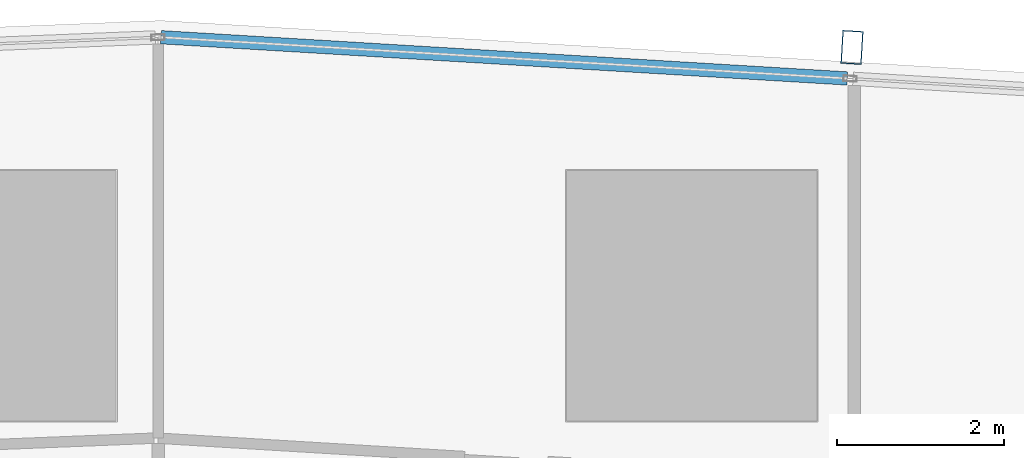
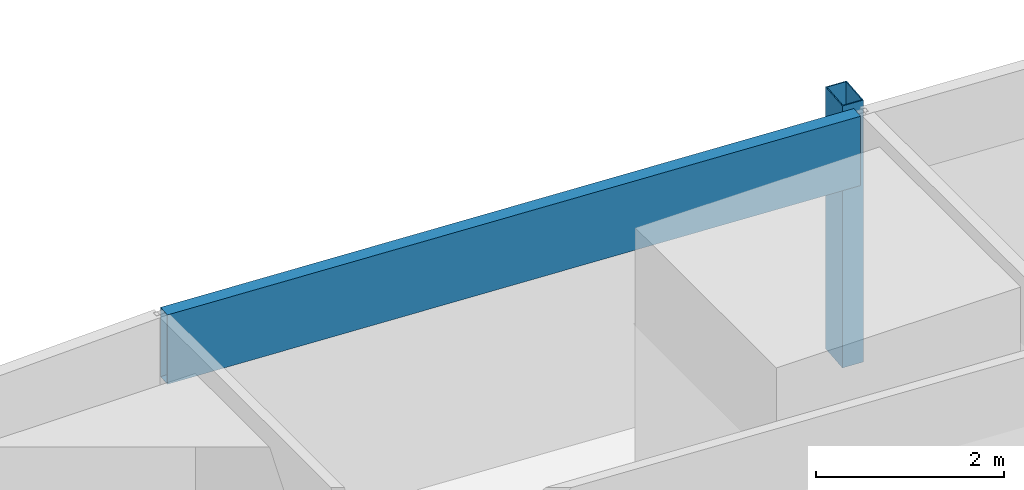
# One storey, part 22 of 38: 2 members, 1 element without a shape of its own.
"""IFC4 building model written with IfcOpenShell, lengths in metres."""

from ifc_helpers import new_model, si_unit, direction, frame, origin, origin_2d, place, context, subcontext, project, spatial, hollow_rectangle, extrude, material, material_profile, profile_set, type_object, element, aggregate, save


model = new_model("IFC4")

# Units and contexts
model_context = context("Model", 3, precision=1e-05, world=origin(), true_north=direction((0.0, 1.0)))
body_context = subcontext(model_context, "Body", "Model", "MODEL_VIEW")
ifc_project = project(units=[si_unit("LENGTHUNIT", "METRE"), si_unit("AREAUNIT", "SQUARE_METRE"), si_unit("VOLUMEUNIT", "CUBIC_METRE"), si_unit("PLANEANGLEUNIT", "RADIAN"), si_unit("MASSUNIT", "GRAM", prefix="KILO")], contexts=[model_context])

# Site, building, storey
site_placement = place(None, origin())
site = spatial("IfcSite", under=ifc_project, at=site_placement, CompositionType="ELEMENT")
building_placement = place(site_placement, origin())
building = spatial("IfcBuilding", under=site, at=building_placement, Name="Rekha Terrace Tower", CompositionType="ELEMENT")
storey_placement = place(building_placement, frame((0.0, 0.0, 159.050048828125)))
storey = spatial("IfcBuildingStorey", under=building, at=storey_placement, Name="L40", CompositionType="ELEMENT", Elevation=159.050048828125)

# Curtain wall, members
ifc_material_1 = material(Name="Aluminium framing", Category="aluminium")
curtain_wall_type = type_object("IfcCurtainWallType", Name="CW3 north unitised glazing", PredefinedType="USERDEFINED", material=ifc_material_1)
curtain_wall_placement = place(storey_placement, origin())
curtain_wall = element("IfcCurtainWall", 1, at=curtain_wall_placement, inside=storey, type_object=curtain_wall_type, Name="CW3 unitised curtain wall", ObjectType="UNITISED CURTAIN WALL", PredefinedType="USERDEFINED")
ifc_material_2 = material(Name="Steel S355 with fluorocarbon finish", Category="steel")
ifc_material_profile_1 = material_profile(ifc_material_2, hollow_rectangle(XDim=0.25, YDim=0.39990234375, WallThickness=0.012451171875, at=origin_2d()), Name="RHS400x250x12.5")
ifc_profile_set_1 = profile_set([ifc_material_profile_1], Name="Steel S355 with fluorocarbon finish")
member_type_1 = type_object("IfcMemberType", Name="BL1 facade blade RHS 400 x 250", PredefinedType="USERDEFINED", material=ifc_profile_set_1)
member_1_placement = place(storey_placement, frame((52.322265625, 61.777587890625, 0.0), z_axis=(0.0, 0.0, 1.0), x_axis=(-0.998199123409, 0.059987582268, 0.0)))
member_1 = element("IfcMember", 2, at=member_1_placement, type_object=member_type_1, Name="Facade blade", ObjectType="FACADE BLADE", PredefinedType="USERDEFINED", context=body_context, shape_type="SweptSolid", body=[
    extrude(hollow_rectangle(XDim=0.25, YDim=0.39990234375, WallThickness=0.012451171875, at=origin_2d()), origin(), (0.0, 0.0, 1.0), 3.39990234375),
])
ifc_material_3 = material(Name="Insulated aluminium spandrel box", Category="aluminium")
ifc_material_profile_2 = material_profile(ifc_material_3, hollow_rectangle(XDim=0.159912109375, YDim=0.89990234375, WallThickness=0.0029296875, at=origin_2d()), Name="AL SPANDREL BOX 160x900")
ifc_profile_set_2 = profile_set([ifc_material_profile_2], Name="Insulated aluminium spandrel box")
member_type_2 = type_object("IfcMemberType", Name="CW3 spandrel transom 160 x 900", PredefinedType="USERDEFINED", material=ifc_profile_set_2)
member_2_placement = place(storey_placement, frame((52.2646484375, 61.4052734375, 2.949951171875), z_axis=(-0.998199102701, 0.059987926845, 0.0), x_axis=(-0.059987926845, -0.998199102701, 0.0)))
member_2 = element("IfcMember", 3, at=member_2_placement, type_object=member_type_2, Name="CW3 spandrel transom 3", ObjectType="TRANSOM", PredefinedType="USERDEFINED", context=body_context, shape_type="SweptSolid", body=[
    extrude(hollow_rectangle(XDim=0.159912109375, YDim=0.89990234375, WallThickness=0.0029296875, at=origin_2d()), origin(), (0.0, 0.0, 1.0), 8.241455078125),
])
aggregate(curtain_wall, [member_2, member_1])

save(model, "model.ifc")
